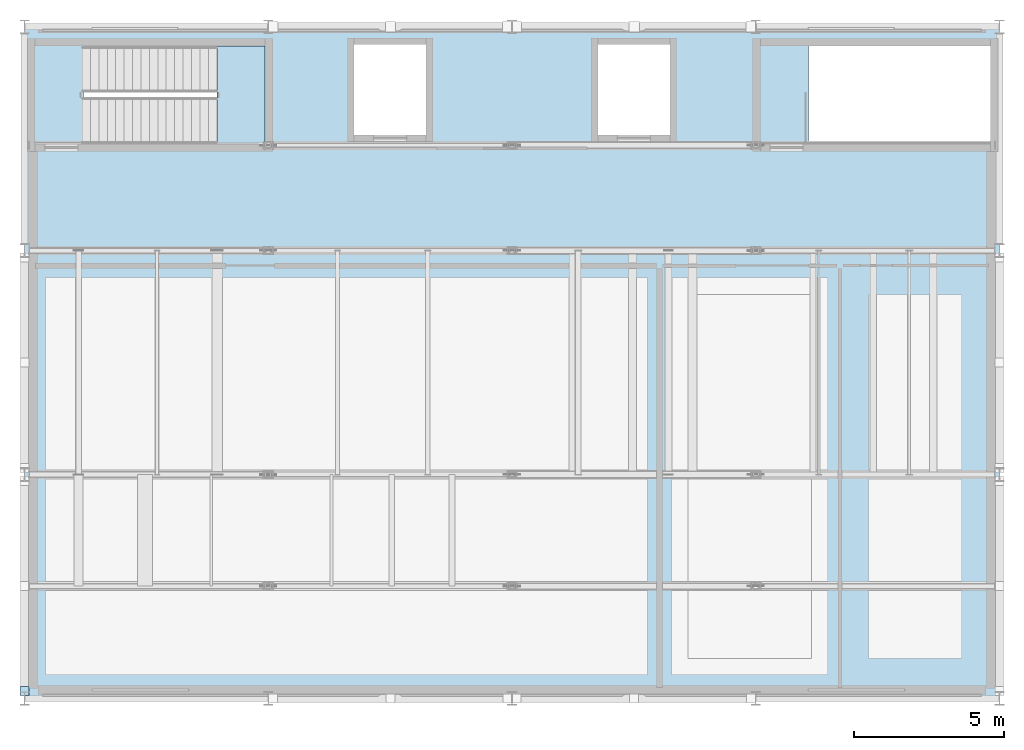
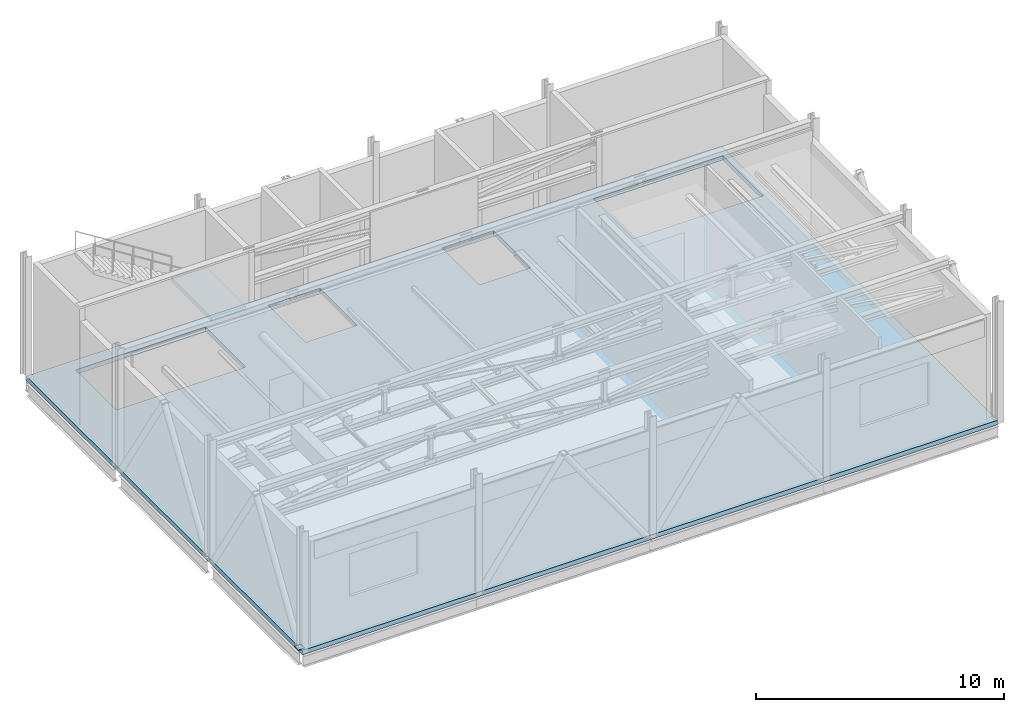
# One storey, part 12 of 21: 2 slabs, 1 plate, 1 element without a shape of its own.
"""IFC4 building model written with IfcOpenShell, lengths in metres."""

from ifc_helpers import new_model, si_unit, direction, frame, origin, origin_2d, place, context, subcontext, project, spatial, polyline, rectangle, outline, extrude, material, layer, layer_set, type_object, element, aggregate, save


model = new_model("IFC4")

# Units and contexts
model_context = context("Model", 3, precision=1e-05, world=origin(), true_north=direction((0.0, 1.0)))
body_context = subcontext(model_context, "Body", "Model", "MODEL_VIEW")
ifc_project = project(units=[si_unit("LENGTHUNIT", "METRE"), si_unit("AREAUNIT", "SQUARE_METRE"), si_unit("VOLUMEUNIT", "CUBIC_METRE"), si_unit("PLANEANGLEUNIT", "RADIAN"), si_unit("MASSUNIT", "GRAM", prefix="KILO")], contexts=[model_context])

# Site, building, storey
site_placement = place(None, origin())
site = spatial("IfcSite", under=ifc_project, at=site_placement, CompositionType="ELEMENT")
building_placement = place(site_placement, origin())
building = spatial("IfcBuilding", under=site, at=building_placement, Name="Kaelora Sail Theatre", CompositionType="ELEMENT")
storey_placement = place(building_placement, frame((0.0, 0.0, 27.60009765625)))
storey = spatial("IfcBuildingStorey", under=building, at=storey_placement, Name="L06", CompositionType="ELEMENT", Elevation=27.60009765625)

# Stair, slab
ifc_material_1 = material(Name="Concrete C40/50", Category="concrete")
stair_type = type_object("IfcStairType", Name="ARC-ST-ESC150", PredefinedType="HALF_TURN_STAIR", material=ifc_material_1)
stair_placement = place(storey_placement, origin())
stair = element("IfcStair", 1, at=stair_placement, inside=storey, type_object=stair_type, Name="L06 ST-K1", PredefinedType="HALF_TURN_STAIR")
ifc_material_2 = material(Name="Concrete C40/50", Category="concrete")
ifc_layer_1 = layer(ifc_material_2, 0.219970703125)
ifc_layer_set_1 = layer_set([ifc_layer_1], Name="Concrete C40/50")
slab_type_1 = type_object("IfcSlabType", Name="ARC-SLB-LND220", PredefinedType="LANDING", material=ifc_layer_set_1)
slab_1_placement = place(storey_placement, frame((0.0, 0.0, 2.7998046875)))
slab_1 = element("IfcSlab", 2, at=slab_1_placement, type_object=slab_type_1, Name="ST-K1 landing 1", PredefinedType="LANDING", context=body_context, shape_type="SweptSolid", body=[
    extrude(outline(polyline([(32.18994140625, 79.449951171875), (33.800048828125, 79.449951171875), (33.800048828125, 82.699951171875), (32.18994140625, 82.699951171875), (32.18994140625, 79.449951171875)])), origin(), (0.0, 0.0, 1.0), 0.2001953125),
])
aggregate(stair, [slab_1])

# Plate
ifc_material_3 = material(Name="Steel S355", Category="steel")
ifc_layer_2 = layer(ifc_material_3, 0.035888671875)
ifc_layer_set_2 = layer_set([ifc_layer_2], Name="Steel S355")
plate_type = type_object("IfcPlateType", Name="STR-PL-EP-36", PredefinedType="SHEET", material=ifc_layer_set_2)
plate_placement = place(storey_placement, frame((25.800048828125, 61.271240234375, -0.01171875), z_axis=(0.0, 0.0, 1.0), x_axis=(1.0, 0.0, 0.0)))
element("IfcPlate", 3, at=plate_placement, inside=storey, type_object=plate_type, Name="Fly Tower chevron brace L06 WS1 end cap plate A", PredefinedType="SHEET", context=body_context, shape_type="SweptSolid", body=[
    extrude(rectangle(XDim=0.300048828125, YDim=0.300048828125, at=origin_2d()), origin(), (0.0, 0.0, 1.0), 0.035888671875),
])

# Slab
ifc_material_4 = material(Name="Concrete C40/50", Category="concrete")
ifc_layer_3 = layer(ifc_material_4, 0.219970703125)
ifc_layer_set_3 = layer_set([ifc_layer_3], Name="Concrete C40/50")
slab_type_2 = type_object("IfcSlabType", Name="STR-SLB-SL-FL220", PredefinedType="FLOOR", material=ifc_layer_set_3)
slab_2_placement = place(storey_placement, frame((0.0, 0.0, -0.22021484375)))
element("IfcSlab", 4, at=slab_2_placement, inside=storey, type_object=slab_type_2, Name="Fly Tower stage/gallery slab (L06)", PredefinedType="FLOOR", context=body_context, shape_type="SweptSolid", body=[
    extrude(outline(polyline([(25.800048828125, 61.034912109375), (58.199951171875, 61.034912109375), (58.199951171875, 83.324951171875), (25.800048828125, 83.324951171875), (25.800048828125, 61.034912109375)]), holes=[polyline([(27.7548828125, 79.449951171875), (33.800048828125, 79.449951171875), (33.800048828125, 82.699951171875), (27.7548828125, 82.699951171875), (27.7548828125, 79.449951171875)]), polyline([(51.85498046875, 79.449951171875), (57.89990234375, 79.449951171875), (57.89990234375, 82.699951171875), (51.85498046875, 82.699951171875), (51.85498046875, 79.449951171875)]), polyline([(36.75, 79.75), (39.14990234375, 79.75), (39.14990234375, 82.75), (36.75, 82.75), (36.75, 79.75)]), polyline([(44.85009765625, 79.75), (47.25, 79.75), (47.25, 82.75), (44.85009765625, 82.75), (44.85009765625, 79.75)])]), origin(), (0.0, 0.0, 1.0), 0.22021484375),
])

save(model, "model.ifc")
